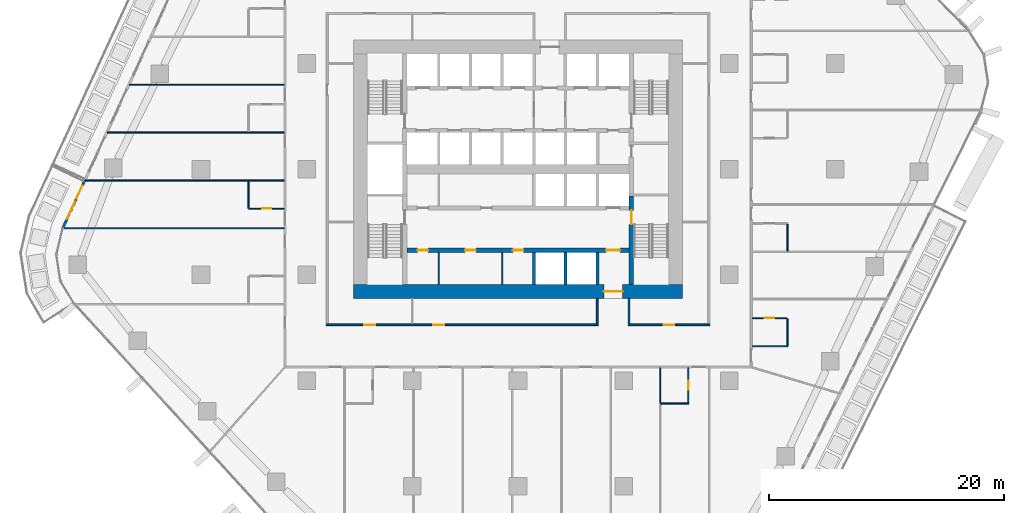
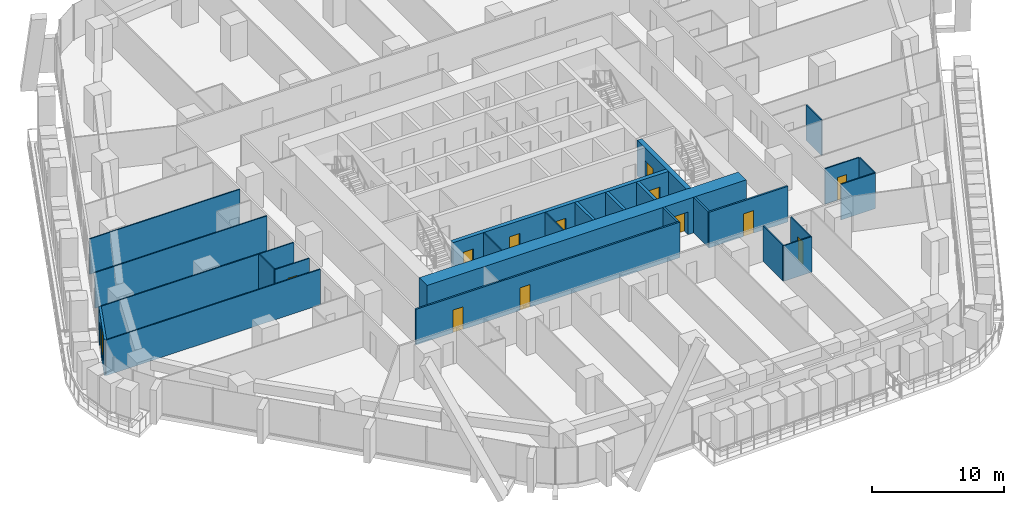
# One storey, part 14 of 27: 26 walls, 13 doors, 1 window, 14 openings.
"""IFC4 building model written with IfcOpenShell, lengths in metres."""

from ifc_helpers import new_model, si_unit, direction, frame, frame_2d, origin, place, context, subcontext, project, spatial, rectangle, extrude, material, layer, layer_set, type_object, element, fill, save


model = new_model("IFC4")

# Units and contexts
model_context = context("Model", 3, precision=1e-05, world=origin(), true_north=direction((0.0, 1.0)))
body_context = subcontext(model_context, "Body", "Model", "MODEL_VIEW")
ifc_project = project(units=[si_unit("LENGTHUNIT", "METRE"), si_unit("AREAUNIT", "SQUARE_METRE"), si_unit("VOLUMEUNIT", "CUBIC_METRE"), si_unit("PLANEANGLEUNIT", "RADIAN"), si_unit("MASSUNIT", "GRAM", prefix="KILO")], contexts=[model_context])

# Site, building, storey
site_placement = place(None, origin())
site = spatial("IfcSite", under=ifc_project, at=site_placement, CompositionType="ELEMENT")
building_placement = place(site_placement, origin())
building = spatial("IfcBuilding", under=site, at=building_placement, Name="Dongbaek Canopy Tower", CompositionType="ELEMENT")
storey_placement = place(building_placement, frame((0.0, 0.0, 62.5)))
storey = spatial("IfcBuildingStorey", under=building, at=storey_placement, Name="L11", CompositionType="ELEMENT", Elevation=62.5)

# Wall, openings, doors
ifc_material_1 = material(Name="Concrete C60/75", Category="concrete")
ifc_layer_1 = layer(ifc_material_1, 0.35009765625)
ifc_layer_set_1 = layer_set([ifc_layer_1], Name="Core lobby wall 350 Concrete C60/75")
wall_type_1 = type_object("IfcWallType", Name="Core lobby wall 350 Concrete C60/75", PredefinedType="SHEAR", material=ifc_layer_set_1)
wall_1_placement = place(storey_placement, frame((9.449951171875, -6.89990234375, 0.0), z_axis=(0.0, 0.0, 1.0), x_axis=(-1.0, 0.0, 0.0)))
wall_1 = element("IfcWall", 1, at=wall_1_placement, inside=storey, type_object=wall_type_1, Name="Core wall", PredefinedType="SHEAR", context=body_context, shape_type="SweptSolid", body=[
    extrude(rectangle(XDim=18.89990234375, YDim=0.35009765625, at=frame_2d((9.449951171875, 0.0))), origin(), (0.0, 0.0, 1.0), 3.300048828125),
])
opening_1_placement = place(wall_1_placement, frame((0.75, 0.0, 0.0)))
opening_1 = element("IfcOpeningElement", 2, at=opening_1_placement, cuts=wall_1, Name="Opening L11-D062", PredefinedType="OPENING", context=body_context, shape_type="SweptSolid", body=[
    extrude(rectangle(XDim=1.199951171875, YDim=2.10009765625, at=frame_2d((0.60009765625, 1.050048828125))), frame((0.0, 0.18505859375, 0.0), z_axis=(0.0, -1.0, 0.0), x_axis=(1.0, 0.0, 0.0)), (0.0, 0.0, 1.0), 0.3701171875),
])
opening_2_placement = place(wall_1_placement, frame((17.10009765625, 0.0, 0.0)))
opening_2 = element("IfcOpeningElement", 3, at=opening_2_placement, cuts=wall_1, Name="Opening L11-D065", PredefinedType="OPENING", context=body_context, shape_type="SweptSolid", body=[
    extrude(rectangle(XDim=0.89990234375, YDim=2.10009765625, at=frame_2d((0.449951171875, 1.050048828125))), frame((0.0, 0.18505859375, 0.0), z_axis=(0.0, -1.0, 0.0), x_axis=(1.0, 0.0, 0.0)), (0.0, 0.0, 1.0), 0.3701171875),
])
opening_3_placement = place(wall_1_placement, frame((13.050048828125, 0.0, 0.0)))
opening_3 = element("IfcOpeningElement", 4, at=opening_3_placement, cuts=wall_1, Name="Opening L11-D066", PredefinedType="OPENING", context=body_context, shape_type="SweptSolid", body=[
    extrude(rectangle(XDim=0.89990234375, YDim=2.10009765625, at=frame_2d((0.449951171875, 1.050048828125))), frame((0.0, 0.18505859375, 0.0), z_axis=(0.0, -1.0, 0.0), x_axis=(1.0, 0.0, 0.0)), (0.0, 0.0, 1.0), 0.3701171875),
])
opening_4_placement = place(wall_1_placement, frame((9.0, 0.0, 0.0)))
opening_4 = element("IfcOpeningElement", 5, at=opening_4_placement, cuts=wall_1, Name="Opening L11-D067", PredefinedType="OPENING", context=body_context, shape_type="SweptSolid", body=[
    extrude(rectangle(XDim=0.89990234375, YDim=2.10009765625, at=frame_2d((0.449951171875, 1.050048828125))), frame((0.0, 0.18505859375, 0.0), z_axis=(0.0, -1.0, 0.0), x_axis=(1.0, 0.0, 0.0)), (0.0, 0.0, 1.0), 0.3701171875),
])
ifc_material_2 = material(Name="Steel", Category="steel")
door_type_1 = type_object("IfcDoorType", Name="Core room door 900 x 2100", OperationType="SINGLE_SWING_LEFT", PredefinedType="DOOR", material=ifc_material_2)
door_1_placement = place(opening_2_placement, origin())
door_1 = element("IfcDoor", 6, at=door_1_placement, inside=storey, type_object=door_type_1, Name="Door L11-D065", OperationType="SINGLE_SWING_RIGHT", OverallHeight=2.10009765625, OverallWidth=0.89990234375, PredefinedType="DOOR", context=body_context, shape_type="SweptSolid", body=[
    extrude(rectangle(XDim=0.89990234375, YDim=2.10009765625, at=frame_2d((0.449951171875, 1.050048828125))), frame((0.0, 0.02490234375, 0.0), z_axis=(0.0, -1.0, 0.0), x_axis=(1.0, 0.0, 0.0)), (0.0, 0.0, 1.0), 0.050048828125),
])
fill(opening_2, door_1)
door_2_placement = place(opening_3_placement, origin())
door_2 = element("IfcDoor", 7, at=door_2_placement, inside=storey, type_object=door_type_1, Name="Door L11-D066", OperationType="SINGLE_SWING_LEFT", OverallHeight=2.10009765625, OverallWidth=0.89990234375, PredefinedType="DOOR", context=body_context, shape_type="SweptSolid", body=[
    extrude(rectangle(XDim=0.89990234375, YDim=2.10009765625, at=frame_2d((0.449951171875, 1.050048828125))), frame((0.0, 0.02490234375, 0.0), z_axis=(0.0, -1.0, 0.0), x_axis=(1.0, 0.0, 0.0)), (0.0, 0.0, 1.0), 0.050048828125),
])
fill(opening_3, door_2)
door_3_placement = place(opening_4_placement, origin())
door_3 = element("IfcDoor", 8, at=door_3_placement, inside=storey, type_object=door_type_1, Name="Door L11-D067", OperationType="SINGLE_SWING_RIGHT", OverallHeight=2.10009765625, OverallWidth=0.89990234375, PredefinedType="DOOR", context=body_context, shape_type="SweptSolid", body=[
    extrude(rectangle(XDim=0.89990234375, YDim=2.10009765625, at=frame_2d((0.449951171875, 1.050048828125))), frame((0.0, 0.02490234375, 0.0), z_axis=(0.0, -1.0, 0.0), x_axis=(1.0, 0.0, 0.0)), (0.0, 0.0, 1.0), 0.050048828125),
])
fill(opening_4, door_3)
ifc_material_3 = material(Name="Steel", Category="steel")
door_type_2 = type_object("IfcDoorType", Name="Fire lobby door 1200 x 2100", OperationType="SINGLE_SWING_LEFT", PredefinedType="DOOR", material=ifc_material_3)
door_4_placement = place(opening_1_placement, origin())
door_4 = element("IfcDoor", 9, at=door_4_placement, inside=storey, type_object=door_type_2, Name="Door L11-D062", OperationType="SINGLE_SWING_LEFT", OverallHeight=2.10009765625, OverallWidth=1.199951171875, PredefinedType="DOOR", context=body_context, shape_type="SweptSolid", body=[
    extrude(rectangle(XDim=1.199951171875, YDim=2.10009765625, at=frame_2d((0.60009765625, 1.050048828125))), frame((0.0, 0.02490234375, 0.0), z_axis=(0.0, -1.0, 0.0), x_axis=(1.0, 0.0, 0.0)), (0.0, 0.0, 1.0), 0.050048828125),
])
fill(opening_1, door_4)

# Wall, opening, door
ifc_material_4 = material(Name="Concrete C60/75", Category="concrete")
ifc_layer_2 = layer(ifc_material_4, 1.199951171875)
ifc_layer_set_2 = layer_set([ifc_layer_2], Name="Core outer wall 1200 Concrete C60/75")
wall_type_2 = type_object("IfcWallType", Name="Core outer wall 1200 Concrete C60/75", PredefinedType="SHEAR", material=ifc_layer_set_2)
wall_2_placement = place(storey_placement, frame((14.0, -10.39990234375, 0.0), z_axis=(0.0, 0.0, 1.0), x_axis=(-1.0, 0.0, 0.0)))
wall_2 = element("IfcWall", 10, at=wall_2_placement, inside=storey, type_object=wall_type_2, Name="Core wall", PredefinedType="SHEAR", context=body_context, shape_type="SweptSolid", body=[
    extrude(rectangle(XDim=28.0, YDim=1.199951171875, at=frame_2d((14.0, 0.0))), origin(), (0.0, 0.0, 1.0), 3.300048828125),
])
opening_5_placement = place(wall_2_placement, frame((5.10009765625, 0.0, 0.0)))
opening_5 = element("IfcOpeningElement", 11, at=opening_5_placement, cuts=wall_2, Name="Opening L11-D061", PredefinedType="OPENING", context=body_context, shape_type="SweptSolid", body=[
    extrude(rectangle(XDim=1.60009765625, YDim=2.10009765625, at=frame_2d((0.800048828125, 1.050048828125))), frame((0.0, 0.60986328125, 0.0), z_axis=(0.0, -1.0, 0.0), x_axis=(1.0, 0.0, 0.0)), (0.0, 0.0, 1.0), 1.219970703125),
])
ifc_material_5 = material(Name="Steel", Category="steel")
door_type_3 = type_object("IfcDoorType", Name="Core exit door 1600 x 2100", OperationType="DOUBLE_DOOR_SINGLE_SWING", PredefinedType="DOOR", material=ifc_material_5)
door_5_placement = place(opening_5_placement, origin())
door_5 = element("IfcDoor", 12, at=door_5_placement, inside=storey, type_object=door_type_3, Name="Core exit door", OperationType="DOUBLE_DOOR_SINGLE_SWING", OverallHeight=2.10009765625, OverallWidth=1.60009765625, PredefinedType="DOOR", context=body_context, shape_type="SweptSolid", body=[
    extrude(rectangle(XDim=1.60009765625, YDim=2.10009765625, at=frame_2d((0.800048828125, 1.050048828125))), frame((0.0, 0.02490234375, 0.0), z_axis=(0.0, -1.0, 0.0), x_axis=(1.0, 0.0, 0.0)), (0.0, 0.0, 1.0), 0.050048828125),
])
fill(opening_5, door_5)

# Wall, openings, doors
ifc_material_6 = material(Name="Gypsum board partition, steel stud, 2 x 15 mm fire board", Category="steel")
ifc_layer_3 = layer(ifc_material_6, 0.14990234375)
ifc_layer_set_3 = layer_set([ifc_layer_3], Name="Fire-rated partition 150 gypsum board")
wall_type_3 = type_object("IfcWallType", Name="Fire-rated partition 150 gypsum board", PredefinedType="PARTITIONING", material=ifc_layer_set_3)
wall_3_placement = place(storey_placement, frame((-16.324951171875, -13.25, 0.0), z_axis=(0.0, 0.0, 1.0), x_axis=(1.0, 0.0, 0.0)))
wall_3 = element("IfcWall", 13, at=wall_3_placement, inside=storey, type_object=wall_type_3, Name="Corridor partition", PredefinedType="PARTITIONING", context=body_context, shape_type="SweptSolid", body=[
    extrude(rectangle(XDim=23.14990234375, YDim=0.14990234375, at=frame_2d((11.574951171875, 0.0))), origin(), (0.0, 0.0, 1.0), 3.300048828125),
])
opening_6_placement = place(wall_3_placement, frame((3.25, 0.0, 0.0)))
opening_6 = element("IfcOpeningElement", 14, at=opening_6_placement, cuts=wall_3, Name="Opening L11-D036", PredefinedType="OPENING", context=body_context, shape_type="SweptSolid", body=[
    extrude(rectangle(XDim=0.89990234375, YDim=2.10009765625, at=frame_2d((0.449951171875, 1.050048828125))), frame((0.0, 0.0849609375, 0.0), z_axis=(0.0, -1.0, 0.0), x_axis=(1.0, 0.0, 0.0)), (0.0, 0.0, 1.0), 0.169921875),
])
opening_7_placement = place(wall_3_placement, frame((9.125, 0.0, 0.0)))
opening_7 = element("IfcOpeningElement", 15, at=opening_7_placement, cuts=wall_3, Name="Opening L11-D037", PredefinedType="OPENING", context=body_context, shape_type="SweptSolid", body=[
    extrude(rectangle(XDim=0.89990234375, YDim=2.10009765625, at=frame_2d((0.449951171875, 1.050048828125))), frame((0.0, 0.0849609375, 0.0), z_axis=(0.0, -1.0, 0.0), x_axis=(1.0, 0.0, 0.0)), (0.0, 0.0, 1.0), 0.169921875),
])
ifc_material_7 = material(Name="Timber veneered door leaf", Category="wood")
door_type_4 = type_object("IfcDoorType", Name="Room door 900 x 2100", OperationType="SINGLE_SWING_LEFT", PredefinedType="DOOR", material=ifc_material_7)
door_6_placement = place(opening_6_placement, origin())
door_6 = element("IfcDoor", 16, at=door_6_placement, inside=storey, type_object=door_type_4, Name="Door L11-D036", OperationType="SINGLE_SWING_LEFT", OverallHeight=2.10009765625, OverallWidth=0.89990234375, PredefinedType="DOOR", context=body_context, shape_type="SweptSolid", body=[
    extrude(rectangle(XDim=0.89990234375, YDim=2.10009765625, at=frame_2d((0.449951171875, 1.050048828125))), frame((0.0, 0.02490234375, 0.0), z_axis=(0.0, -1.0, 0.0), x_axis=(1.0, 0.0, 0.0)), (0.0, 0.0, 1.0), 0.050048828125),
])
fill(opening_6, door_6)
door_7_placement = place(opening_7_placement, origin())
door_7 = element("IfcDoor", 17, at=door_7_placement, inside=storey, type_object=door_type_4, Name="Door L11-D037", OperationType="SINGLE_SWING_RIGHT", OverallHeight=2.10009765625, OverallWidth=0.89990234375, PredefinedType="DOOR", context=body_context, shape_type="SweptSolid", body=[
    extrude(rectangle(XDim=0.89990234375, YDim=2.10009765625, at=frame_2d((0.449951171875, 1.050048828125))), frame((0.0, 0.02490234375, 0.0), z_axis=(0.0, -1.0, 0.0), x_axis=(1.0, 0.0, 0.0)), (0.0, 0.0, 1.0), 0.050048828125),
])
fill(opening_7, door_7)

# Wall, opening, door
wall_4_placement = place(storey_placement, frame((9.375, -13.25, 0.0), z_axis=(0.0, 0.0, 1.0), x_axis=(1.0, 0.0, 0.0)))
wall_4 = element("IfcWall", 18, at=wall_4_placement, inside=storey, type_object=wall_type_3, Name="Corridor partition", PredefinedType="PARTITIONING", context=body_context, shape_type="SweptSolid", body=[
    extrude(rectangle(XDim=6.949951171875, YDim=0.14990234375, at=frame_2d((3.47509765625, 0.0))), origin(), (0.0, 0.0, 1.0), 3.300048828125),
])
opening_8_placement = place(wall_4_placement, frame((3.02490234375, 0.0, 0.0)))
opening_8 = element("IfcOpeningElement", 19, at=opening_8_placement, cuts=wall_4, Name="Opening L11-D038", PredefinedType="OPENING", context=body_context, shape_type="SweptSolid", body=[
    extrude(rectangle(XDim=0.89990234375, YDim=2.10009765625, at=frame_2d((0.449951171875, 1.050048828125))), frame((0.0, 0.0849609375, 0.0), z_axis=(0.0, -1.0, 0.0), x_axis=(1.0, 0.0, 0.0)), (0.0, 0.0, 1.0), 0.169921875),
])
door_8_placement = place(opening_8_placement, origin())
door_8 = element("IfcDoor", 20, at=door_8_placement, inside=storey, type_object=door_type_4, Name="Door L11-D038", OperationType="SINGLE_SWING_LEFT", OverallHeight=2.10009765625, OverallWidth=0.89990234375, PredefinedType="DOOR", context=body_context, shape_type="SweptSolid", body=[
    extrude(rectangle(XDim=0.89990234375, YDim=2.10009765625, at=frame_2d((0.449951171875, 1.050048828125))), frame((0.0, 0.02490234375, 0.0), z_axis=(0.0, -1.0, 0.0), x_axis=(1.0, 0.0, 0.0)), (0.0, 0.0, 1.0), 0.050048828125),
])
fill(opening_8, door_8)

# Walls
for number, where, z_axis, x_axis, name in (
    (21, (9.449951171875, -13.175048828125, 0.0), (0.0, 0.0, 1.0), (0.0, 1.0, 0.0), "Corridor partition"),
    (22, (6.75, -13.175048828125, 0.0), (0.0, 0.0, 1.0), (0.0, 1.0, 0.0), "Corridor partition"),
):
    element("IfcWall", number, at=place(storey_placement, frame(where, z_axis=z_axis, x_axis=x_axis)), inside=storey, type_object=wall_type_3, Name=name, PredefinedType="PARTITIONING", context=body_context, shape_type="SweptSolid", body=[
        extrude(rectangle(XDim=2.175048828125, YDim=0.14990234375, at=frame_2d((1.08740234375, 0.0))), origin(), (0.0, 0.0, 1.0), 3.300048828125),
    ])
ifc_material_8 = material(Name="Concrete C40/50", Category="concrete")
ifc_layer_4 = layer(ifc_material_8, 0.25)
ifc_layer_set_4 = layer_set([ifc_layer_4], Name="Lift shaft wall 250 Concrete C40/50")
wall_type_4 = type_object("IfcWallType", Name="Lift shaft wall 250 Concrete C40/50", PredefinedType="SOLIDWALL", material=ifc_layer_set_4)
for number, where, z_axis, x_axis, name in (
    (23, (6.75, -9.800048828125, 0.0), (0.0, 0.0, 1.0), (0.0, 1.0, 0.0), "Lift shaft wall"),
    (24, (4.050048828125, -9.800048828125, 0.0), (0.0, 0.0, 1.0), (0.0, 1.0, 0.0), "Lift shaft wall"),
    (25, (1.35009765625, -9.800048828125, 0.0), (0.0, 0.0, 1.0), (0.0, 1.0, 0.0), "Lift shaft wall"),
):
    element("IfcWall", number, at=place(storey_placement, frame(where, z_axis=z_axis, x_axis=x_axis)), inside=storey, type_object=wall_type_4, Name=name, PredefinedType="SOLIDWALL", context=body_context, shape_type="SweptSolid", body=[
        extrude(rectangle(XDim=2.72509765625, YDim=0.25, at=frame_2d((1.362548828125, 0.0))), origin(), (0.0, 0.0, 1.0), 3.300048828125),
    ])
ifc_material_9 = material(Name="Gypsum board partition, steel stud, 2 x 12.5 mm board", Category="steel")
ifc_layer_5 = layer(ifc_material_9, 0.10009765625)
ifc_layer_set_5 = layer_set([ifc_layer_5], Name="Partition 100 gypsum board")
wall_type_5 = type_object("IfcWallType", Name="Partition 100 gypsum board", PredefinedType="PARTITIONING", material=ifc_layer_set_5)
wall_5_placement = place(storey_placement, frame((12.0986328125, -19.949951171875, 0.0), z_axis=(0.0, 0.0, 1.0), x_axis=(1.0, 0.0, 0.0)))
element("IfcWall", 26, at=wall_5_placement, inside=storey, type_object=wall_type_5, Name="Partition", PredefinedType="PARTITIONING", context=body_context, shape_type="SweptSolid", body=[
    extrude(rectangle(XDim=2.449951171875, YDim=0.10009765625, at=frame_2d((1.22509765625, 0.0))), origin(), (0.0, 0.0, 1.0), 3.300048828125),
])
wall_6_placement = place(storey_placement, frame((19.925048828125, -15.0791015625, 0.0), z_axis=(0.0, 0.0, 1.0), x_axis=(1.0, 0.0, 0.0)))
element("IfcWall", 27, at=wall_6_placement, inside=storey, type_object=wall_type_5, Name="Partition", PredefinedType="PARTITIONING", context=body_context, shape_type="SweptSolid", body=[
    extrude(rectangle(XDim=3.02490234375, YDim=0.10009765625, at=frame_2d((1.512451171875, 0.0))), origin(), (0.0, 0.0, 1.0), 3.300048828125),
])

# Wall, opening, door
wall_7_placement = place(storey_placement, frame((22.89990234375, -12.678955078125, 0.0), z_axis=(0.0, 0.0, 1.0), x_axis=(-1.0, 0.0, 0.0)))
wall_7 = element("IfcWall", 28, at=wall_7_placement, inside=storey, type_object=wall_type_5, Name="Partition", PredefinedType="PARTITIONING", context=body_context, shape_type="SweptSolid", body=[
    extrude(rectangle(XDim=2.974853515625, YDim=0.10009765625, at=frame_2d((1.4873046875, 0.0))), origin(), (0.0, 0.0, 1.0), 3.300048828125),
])
opening_9_placement = place(wall_7_placement, frame((1.10009765625, 0.0, 0.0)))
opening_9 = element("IfcOpeningElement", 29, at=opening_9_placement, cuts=wall_7, Name="Opening L11-D015", PredefinedType="OPENING", context=body_context, shape_type="SweptSolid", body=[
    extrude(rectangle(XDim=0.800048828125, YDim=2.10009765625, at=frame_2d((0.39990234375, 1.050048828125))), frame((0.0, 0.06005859375, 0.0), z_axis=(0.0, -1.0, 0.0), x_axis=(1.0, 0.0, 0.0)), (0.0, 0.0, 1.0), 0.1201171875),
])
ifc_material_10 = material(Name="Timber veneered door leaf", Category="wood")
door_type_5 = type_object("IfcDoorType", Name="En-suite door 800 x 2100", OperationType="SINGLE_SWING_LEFT", PredefinedType="DOOR", material=ifc_material_10)
door_9_placement = place(opening_9_placement, origin())
door_9 = element("IfcDoor", 30, at=door_9_placement, inside=storey, type_object=door_type_5, Name="Door L11-D015", OperationType="SINGLE_SWING_LEFT", OverallHeight=2.10009765625, OverallWidth=0.800048828125, PredefinedType="DOOR", context=body_context, shape_type="SweptSolid", body=[
    extrude(rectangle(XDim=0.800048828125, YDim=2.10009765625, at=frame_2d((0.39990234375, 1.050048828125))), frame((0.0, 0.02490234375, 0.0), z_axis=(0.0, -1.0, 0.0), x_axis=(1.0, 0.0, 0.0)), (0.0, 0.0, 1.0), 0.050048828125),
])
fill(opening_9, door_9)

# Wall
wall_8_placement = place(storey_placement, frame((-38.74755859375, -5.028076171875, 0.0), z_axis=(0.0, 0.0, 1.0), x_axis=(1.0, 0.0, 0.0)))
element("IfcWall", 31, at=wall_8_placement, inside=storey, type_object=wall_type_5, Name="Partition", PredefinedType="PARTITIONING", context=body_context, shape_type="SweptSolid", body=[
    extrude(rectangle(XDim=18.822509765625, YDim=0.10009765625, at=frame_2d((9.4111328125, 0.0))), origin(), (0.0, 0.0, 1.0), 3.300048828125),
])

# Wall, opening, door
wall_9_placement = place(storey_placement, frame((-22.949951171875, -3.35693359375, 0.0), z_axis=(0.0, 0.0, 1.0), x_axis=(1.0, 0.0, 0.0)))
wall_9 = element("IfcWall", 32, at=wall_9_placement, inside=storey, type_object=wall_type_5, Name="Partition", PredefinedType="PARTITIONING", context=body_context, shape_type="SweptSolid", body=[
    extrude(rectangle(XDim=3.02490234375, YDim=0.10009765625, at=frame_2d((1.512451171875, 0.0))), origin(), (0.0, 0.0, 1.0), 3.300048828125),
])
opening_10_placement = place(wall_9_placement, frame((1.14990234375, 0.0, 0.0)))
opening_10 = element("IfcOpeningElement", 33, at=opening_10_placement, cuts=wall_9, Name="Opening L11-D001", PredefinedType="OPENING", context=body_context, shape_type="SweptSolid", body=[
    extrude(rectangle(XDim=0.800048828125, YDim=2.10009765625, at=frame_2d((0.39990234375, 1.050048828125))), frame((0.0, 0.06005859375, 0.0), z_axis=(0.0, -1.0, 0.0), x_axis=(1.0, 0.0, 0.0)), (0.0, 0.0, 1.0), 0.1201171875),
])
door_10_placement = place(opening_10_placement, origin())
door_10 = element("IfcDoor", 34, at=door_10_placement, inside=storey, type_object=door_type_5, Name="Door L11-D001", OperationType="SINGLE_SWING_LEFT", OverallHeight=2.10009765625, OverallWidth=0.800048828125, PredefinedType="DOOR", context=body_context, shape_type="SweptSolid", body=[
    extrude(rectangle(XDim=0.800048828125, YDim=2.10009765625, at=frame_2d((0.39990234375, 1.050048828125))), frame((0.0, 0.02490234375, 0.0), z_axis=(0.0, -1.0, 0.0), x_axis=(1.0, 0.0, 0.0)), (0.0, 0.0, 1.0), 0.050048828125),
])
fill(opening_10, door_10)

# Walls
wall_10_placement = place(storey_placement, frame((-36.869873046875, -0.95703125, 0.0), z_axis=(0.0, 0.0, 1.0), x_axis=(1.0, 0.0, 0.0)))
element("IfcWall", 35, at=wall_10_placement, inside=storey, type_object=wall_type_5, Name="Partition", PredefinedType="PARTITIONING", context=body_context, shape_type="SweptSolid", body=[
    extrude(rectangle(XDim=16.94482421875, YDim=0.10009765625, at=frame_2d((8.472412109375, 0.0))), origin(), (0.0, 0.0, 1.0), 3.300048828125),
])
wall_11_placement = place(storey_placement, frame((-34.988037109375, 3.123046875, 0.0), z_axis=(0.0, 0.0, 1.0), x_axis=(1.0, 0.0, 0.0)))
element("IfcWall", 36, at=wall_11_placement, inside=storey, type_object=wall_type_5, Name="Partition", PredefinedType="PARTITIONING", context=body_context, shape_type="SweptSolid", body=[
    extrude(rectangle(XDim=15.06298828125, YDim=0.10009765625, at=frame_2d((7.531494140625, 0.0))), origin(), (0.0, 0.0, 1.0), 3.300048828125),
])
wall_12_placement = place(storey_placement, frame((-33.106201171875, 7.202880859375, 0.0), z_axis=(0.0, 0.0, 1.0), x_axis=(1.0, 0.0, 0.0)))
element("IfcWall", 37, at=wall_12_placement, inside=storey, type_object=wall_type_5, Name="Partition", PredefinedType="PARTITIONING", context=body_context, shape_type="SweptSolid", body=[
    extrude(rectangle(XDim=13.18115234375, YDim=0.10009765625, at=frame_2d((6.590576171875, 0.0))), origin(), (0.0, 0.0, 1.0), 3.300048828125),
])
wall_13_placement = place(storey_placement, frame((22.949951171875, -15.028564453125, 0.0), z_axis=(0.0, 0.0, 1.0), x_axis=(0.0, 1.0, 0.0)))
element("IfcWall", 38, at=wall_13_placement, inside=storey, type_object=wall_type_5, Name="Partition", PredefinedType="PARTITIONING", context=body_context, shape_type="SweptSolid", body=[
    extrude(rectangle(XDim=2.300048828125, YDim=0.10009765625, at=frame_2d((1.14990234375, 0.0))), origin(), (0.0, 0.0, 1.0), 3.300048828125),
])
wall_14_placement = place(storey_placement, frame((22.949951171875, -6.97998046875, 0.0), z_axis=(0.0, 0.0, 1.0), x_axis=(0.0, 1.0, 0.0)))
element("IfcWall", 39, at=wall_14_placement, inside=storey, type_object=wall_type_5, Name="Partition", PredefinedType="PARTITIONING", context=body_context, shape_type="SweptSolid", body=[
    extrude(rectangle(XDim=2.299560546875, YDim=0.10009765625, at=frame_2d((1.14990234375, 0.0))), origin(), (0.0, 0.0, 1.0), 3.300048828125),
])

# Wall, opening, door
wall_15_placement = place(storey_placement, frame((14.4990234375, -19.949951171875, 0.0), z_axis=(0.0, 0.0, 1.0), x_axis=(0.0, 1.0, 0.0)))
wall_15 = element("IfcWall", 40, at=wall_15_placement, inside=storey, type_object=wall_type_5, Name="Partition", PredefinedType="PARTITIONING", context=body_context, shape_type="SweptSolid", body=[
    extrude(rectangle(XDim=3.02490234375, YDim=0.10009765625, at=frame_2d((1.512451171875, 0.0))), origin(), (0.0, 0.0, 1.0), 3.300048828125),
])
opening_11_placement = place(wall_15_placement, frame((1.14990234375, 0.0, 0.0)))
opening_11 = element("IfcOpeningElement", 41, at=opening_11_placement, cuts=wall_15, Name="Opening L11-D013", PredefinedType="OPENING", context=body_context, shape_type="SweptSolid", body=[
    extrude(rectangle(XDim=0.800048828125, YDim=2.10009765625, at=frame_2d((0.39990234375, 1.050048828125))), frame((0.0, 0.06005859375, 0.0), z_axis=(0.0, -1.0, 0.0), x_axis=(1.0, 0.0, 0.0)), (0.0, 0.0, 1.0), 0.1201171875),
])
door_11_placement = place(opening_11_placement, origin())
door_11 = element("IfcDoor", 42, at=door_11_placement, inside=storey, type_object=door_type_5, Name="Door L11-D013", OperationType="SINGLE_SWING_LEFT", OverallHeight=2.10009765625, OverallWidth=0.800048828125, PredefinedType="DOOR", context=body_context, shape_type="SweptSolid", body=[
    extrude(rectangle(XDim=0.800048828125, YDim=2.10009765625, at=frame_2d((0.39990234375, 1.050048828125))), frame((0.0, 0.02490234375, 0.0), z_axis=(0.0, -1.0, 0.0), x_axis=(1.0, 0.0, 0.0)), (0.0, 0.0, 1.0), 0.050048828125),
])
fill(opening_11, door_11)

# Walls
wall_16_placement = place(storey_placement, frame((12.09912109375, -19.89990234375, 0.0), z_axis=(0.0, 0.0, 1.0), x_axis=(0.0, 1.0, 0.0)))
element("IfcWall", 43, at=wall_16_placement, inside=storey, type_object=wall_type_5, Name="Partition", PredefinedType="PARTITIONING", context=body_context, shape_type="SweptSolid", body=[
    extrude(rectangle(XDim=2.974853515625, YDim=0.10009765625, at=frame_2d((1.4873046875, 0.0))), origin(), (0.0, 0.0, 1.0), 3.300048828125),
])
wall_17_placement = place(storey_placement, frame((-22.949951171875, -3.306884765625, 0.0), z_axis=(0.0, 0.0, 1.0), x_axis=(0.0, 1.0, 0.0)))
element("IfcWall", 44, at=wall_17_placement, inside=storey, type_object=wall_type_5, Name="Partition", PredefinedType="PARTITIONING", context=body_context, shape_type="SweptSolid", body=[
    extrude(rectangle(XDim=2.2998046875, YDim=0.10009765625, at=frame_2d((1.14990234375, 0.0))), origin(), (0.0, 0.0, 1.0), 3.300048828125),
])
for number, where, z_axis, x_axis, name in (
    (45, (-1.35009765625, -9.800048828125, 0.0), (0.0, 0.0, 1.0), (0.0, 1.0, 0.0), "Core partition"),
    (46, (-6.75, -9.800048828125, 0.0), (0.0, 0.0, 1.0), (0.0, 1.0, 0.0), "Core partition"),
):
    element("IfcWall", number, at=place(storey_placement, frame(where, z_axis=z_axis, x_axis=x_axis)), inside=storey, type_object=wall_type_5, Name=name, PredefinedType="PARTITIONING", context=body_context, shape_type="SweptSolid", body=[
        extrude(rectangle(XDim=2.72509765625, YDim=0.10009765625, at=frame_2d((1.362548828125, 0.0))), origin(), (0.0, 0.0, 1.0), 3.300048828125),
    ])

# Wall, opening, door
ifc_material_11 = material(Name="Concrete C60/75", Category="concrete")
ifc_layer_6 = layer(ifc_material_11, 0.39990234375)
ifc_layer_set_6 = layer_set([ifc_layer_6], Name="Stair wall 400 Concrete C60/75")
wall_type_6 = type_object("IfcWallType", Name="Stair wall 400 Concrete C60/75", PredefinedType="SHEAR", material=ifc_layer_set_6)
wall_18_placement = place(storey_placement, frame((9.64990234375, -2.300048828125, 0.0), z_axis=(0.0, 0.0, 1.0), x_axis=(0.0, -1.0, 0.0)))
wall_18 = element("IfcWall", 47, at=wall_18_placement, inside=storey, type_object=wall_type_6, Name="Stair wall", PredefinedType="SHEAR", context=body_context, shape_type="SweptSolid", body=[
    extrude(rectangle(XDim=7.5, YDim=0.39990234375, at=frame_2d((3.75, 0.0))), origin(), (0.0, 0.0, 1.0), 3.300048828125),
])
opening_12_placement = place(wall_18_placement, frame((1.199951171875, 0.0, 0.0)))
opening_12 = element("IfcOpeningElement", 48, at=opening_12_placement, cuts=wall_18, Name="Opening L11-D070", PredefinedType="OPENING", context=body_context, shape_type="SweptSolid", body=[
    extrude(rectangle(XDim=1.199951171875, YDim=2.10009765625, at=frame_2d((0.60009765625, 1.050048828125))), frame((0.0, 0.2099609375, 0.0), z_axis=(0.0, -1.0, 0.0), x_axis=(1.0, 0.0, 0.0)), (0.0, 0.0, 1.0), 0.419921875),
])
ifc_material_12 = material(Name="Steel", Category="steel")
door_type_6 = type_object("IfcDoorType", Name="Stair door 1200 x 2100", OperationType="SINGLE_SWING_LEFT", PredefinedType="DOOR", material=ifc_material_12)
door_12_placement = place(opening_12_placement, origin())
door_12 = element("IfcDoor", 49, at=door_12_placement, inside=storey, type_object=door_type_6, Name="Stair B door", OperationType="SINGLE_SWING_RIGHT", OverallHeight=2.10009765625, OverallWidth=1.199951171875, PredefinedType="DOOR", context=body_context, shape_type="SweptSolid", body=[
    extrude(rectangle(XDim=1.199951171875, YDim=2.10009765625, at=frame_2d((0.60009765625, 1.050048828125))), frame((0.0, 0.02490234375, 0.0), z_axis=(0.0, -1.0, 0.0), x_axis=(1.0, 0.0, 0.0)), (0.0, 0.0, 1.0), 0.050048828125),
])
fill(opening_12, door_12)

# Wall, openings, door, window
ifc_material_13 = material(Name="Aluminium window wall", Category="aluminium")
ifc_layer_7 = layer(ifc_material_13, 0.199951171875)
ifc_layer_set_7 = layer_set([ifc_layer_7], Name="Window wall 200")
wall_type_7 = type_object("IfcWallType", Name="Window wall 200", PredefinedType="SOLIDWALL", material=ifc_layer_set_7)
wall_19_placement = place(storey_placement, frame((-36.891845703125, -0.956787109375, 0.0), z_axis=(0.0, 0.0, 1.0), x_axis=(-0.418806078916, -0.908075695228, 0.0)))
wall_19 = element("IfcWall", 50, at=wall_19_placement, inside=storey, type_object=wall_type_7, Name="Window wall L11 7", PredefinedType="SOLIDWALL", context=body_context, shape_type="SweptSolid", body=[
    extrude(rectangle(XDim=4.4833984375, YDim=0.199951171875, at=frame_2d((2.24169921875, 0.0))), origin(), (0.0, 0.0, 1.0), 3.300048828125),
])
opening_13_placement = place(wall_19_placement, frame((2.0, 0.0, 0.60009765625)))
opening_13 = element("IfcOpeningElement", 51, at=opening_13_placement, cuts=wall_19, Name="Opening W1", PredefinedType="OPENING", context=body_context, shape_type="SweptSolid", body=[
    extrude(rectangle(XDim=1.60009765625, YDim=2.39990234375, at=frame_2d((0.800048828125, 1.199951171875))), frame((0.0, 0.10986328125, 0.0), z_axis=(0.0, -1.0, 0.0), x_axis=(1.0, 0.0, 0.0)), (0.0, 0.0, 1.0), 0.219970703125),
])
opening_14_placement = place(wall_19_placement, frame((0.5, 0.0, 0.0)))
opening_14 = element("IfcOpeningElement", 52, at=opening_14_placement, cuts=wall_19, Name="Opening L11-B17", PredefinedType="OPENING", context=body_context, shape_type="SweptSolid", body=[
    extrude(rectangle(XDim=1.199951171875, YDim=2.39990234375, at=frame_2d((0.60009765625, 1.199951171875))), frame((0.0, 0.10986328125, 0.0), z_axis=(0.0, -1.0, 0.0), x_axis=(1.0, 0.0, 0.0)), (0.0, 0.0, 1.0), 0.219970703125),
])
ifc_material_14 = material(Name="Clear glazing in aluminium frame", Category="aluminium")
door_type_7 = type_object("IfcDoorType", Name="Balcony door BD1 1200 x 2400", OperationType="SLIDING_TO_LEFT", PredefinedType="DOOR", material=ifc_material_14)
door_13_placement = place(opening_14_placement, origin())
door_13 = element("IfcDoor", 53, at=door_13_placement, inside=storey, type_object=door_type_7, Name="Balcony door L11-B17", OperationType="SLIDING_TO_LEFT", OverallHeight=2.39990234375, OverallWidth=1.199951171875, PredefinedType="DOOR", context=body_context, shape_type="SweptSolid", body=[
    extrude(rectangle(XDim=1.199951171875, YDim=2.39990234375, at=frame_2d((0.60009765625, 1.199951171875))), frame((0.0, 0.02490234375, 0.0), z_axis=(0.0, -1.0, 0.0), x_axis=(1.0, 0.0, 0.0)), (0.0, 0.0, 1.0), 0.050048828125),
])
fill(opening_14, door_13)
ifc_material_15 = material(Name="Clear glazing in aluminium frame", Category="aluminium")
window_type = type_object("IfcWindowType", Name="Window W1 1600 x 2400", PartitioningType="SINGLE_PANEL", PredefinedType="WINDOW", material=ifc_material_15)
window_placement = place(opening_13_placement, origin())
window = element("IfcWindow", 54, at=window_placement, inside=storey, type_object=window_type, Name="Window L11 7.1", OverallHeight=2.39990234375, OverallWidth=1.60009765625, PartitioningType="SINGLE_PANEL", PredefinedType="WINDOW", context=body_context, shape_type="SweptSolid", body=[
    extrude(rectangle(XDim=1.60009765625, YDim=2.39990234375, at=frame_2d((0.800048828125, 1.199951171875))), frame((0.0, 0.030029296875, 0.0), z_axis=(0.0, -1.0, 0.0), x_axis=(1.0, 0.0, 0.0)), (0.0, 0.0, 1.0), 0.06005859375),
])
fill(opening_13, window)

save(model, "model.ifc")
